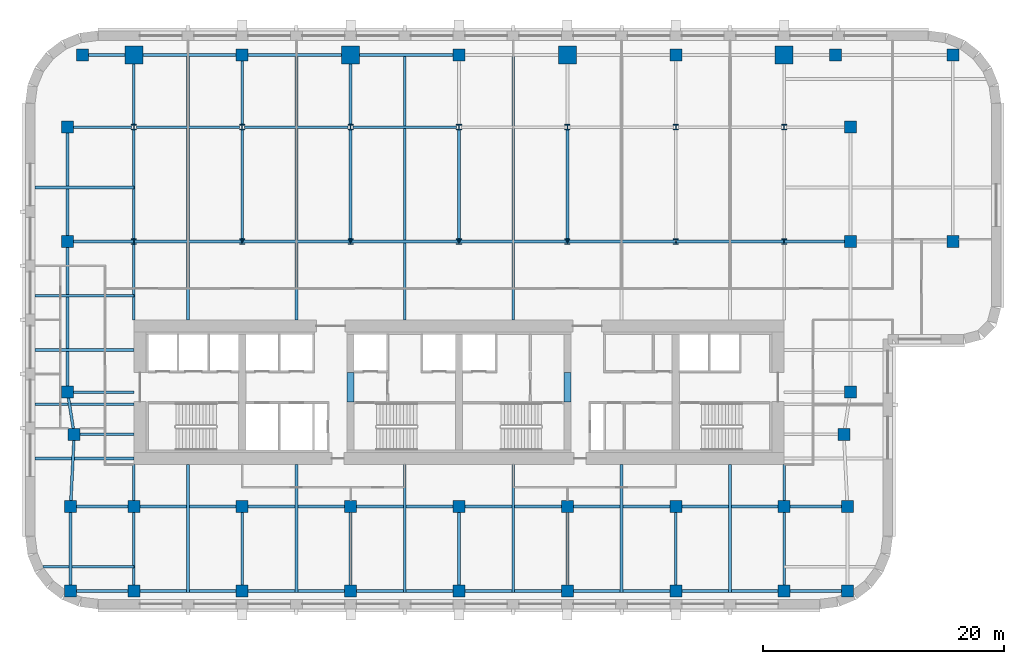
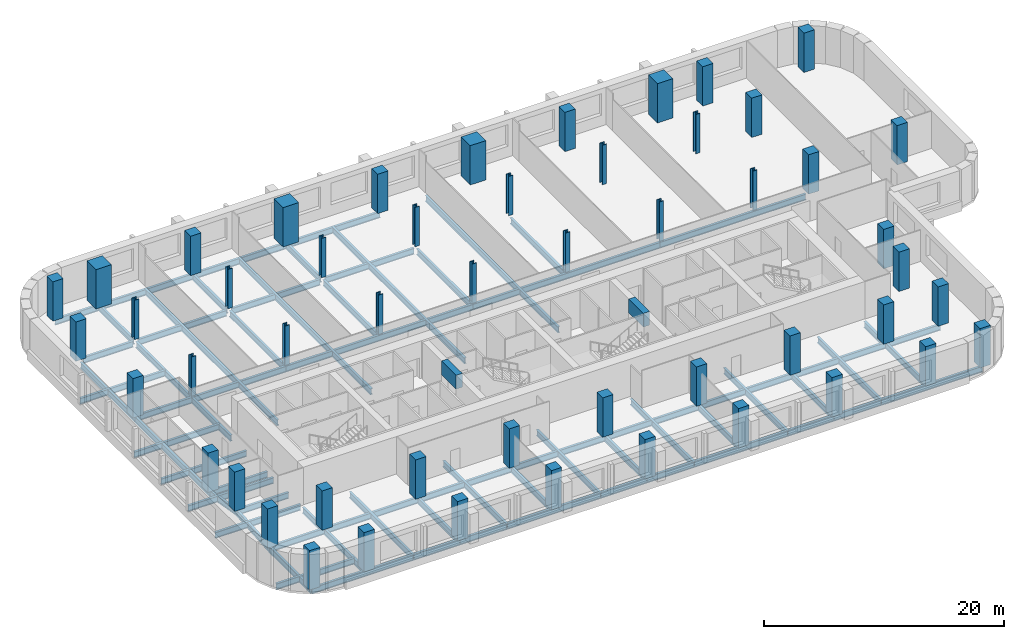
# One storey, part 1 of 9: 58 beams, 51 columns.
"""IFC4 building model written with IfcOpenShell, lengths in metres."""

from ifc_helpers import new_model, si_unit, direction, frame, origin, origin_2d, place, context, subcontext, project, spatial, rectangle, i_section, extrude, material, material_profile, profile_set, type_object, element, save


model = new_model("IFC4")

# Units and contexts
model_context = context("Model", 3, precision=1e-05, world=origin(), true_north=direction((0.0, 1.0)))
body_context = subcontext(model_context, "Body", "Model", "MODEL_VIEW")
ifc_project = project(units=[si_unit("LENGTHUNIT", "METRE"), si_unit("AREAUNIT", "SQUARE_METRE"), si_unit("VOLUMEUNIT", "CUBIC_METRE"), si_unit("PLANEANGLEUNIT", "RADIAN"), si_unit("MASSUNIT", "GRAM", prefix="KILO")], contexts=[model_context])

# Site, building, storey
site_placement = place(None, origin())
site = spatial("IfcSite", under=ifc_project, at=site_placement, CompositionType="ELEMENT")
building_placement = place(site_placement, origin())
building = spatial("IfcBuilding", under=site, at=building_placement, Name="Zellij Exchange Tower", CompositionType="ELEMENT")
storey_placement = place(building_placement, frame((0.0, 0.0, 140.5)))
storey = spatial("IfcBuildingStorey", under=building, at=storey_placement, Name="L31", CompositionType="ELEMENT", Elevation=140.5)

# Columns
ifc_material_1 = material(Name="Concrete C70/85", Category="concrete")
ifc_material_profile_1 = material_profile(ifc_material_1, rectangle(XDim=1.0, YDim=1.0, at=origin_2d()), Name="STR-COLUMN RC1000x1000 C70/85")
ifc_profile_set_1 = profile_set([ifc_material_profile_1], Name="Concrete C70/85")
column_type_1 = type_object("IfcColumnType", Name="STR-COLUMN RC1000x1000 C70/85", PredefinedType="COLUMN", material=ifc_profile_set_1)
for number, where, z_axis, x_axis, name in (
    (1, (-32.25, -24.5, 0.0), (0.0, 0.0, 1.0), (1.0, 0.0, 0.0), "C10"),
    (2, (-27.0, -24.5, 0.0), (0.0, 0.0, 1.0), (1.0, 0.0, 0.0), "C10"),
    (3, (-18.0, -24.5, 0.0), (0.0, 0.0, 1.0), (1.0, 0.0, 0.0), "C10"),
    (4, (-9.0, -24.5, 0.0), (0.0, 0.0, 1.0), (1.0, 0.0, 0.0), "C10"),
    (5, (0.0, -24.5, 0.0), (0.0, 0.0, 1.0), (1.0, 0.0, 0.0), "C10"),
    (6, (9.0, -24.5, 0.0), (0.0, 0.0, 1.0), (1.0, 0.0, 0.0), "C10"),
    (7, (18.0, -24.5, 0.0), (0.0, 0.0, 1.0), (1.0, 0.0, 0.0), "C10"),
    (8, (27.0, -24.5, 0.0), (0.0, 0.0, 1.0), (1.0, 0.0, 0.0), "C10"),
    (9, (32.25, -24.5, 0.0), (0.0, 0.0, 1.0), (1.0, 0.0, 0.0), "C10"),
    (10, (-32.25, -17.5, 0.0), (0.0, 0.0, 1.0), (1.0, 0.0, 0.0), "C10"),
    (11, (-27.0, -17.5, 0.0), (0.0, 0.0, 1.0), (1.0, 0.0, 0.0), "C10"),
    (12, (-18.0, -17.5, 0.0), (0.0, 0.0, 1.0), (1.0, 0.0, 0.0), "C10"),
    (13, (-9.0, -17.5, 0.0), (0.0, 0.0, 1.0), (1.0, 0.0, 0.0), "C10"),
    (14, (0.0, -17.5, 0.0), (0.0, 0.0, 1.0), (1.0, 0.0, 0.0), "C10"),
    (15, (9.0, -17.5, 0.0), (0.0, 0.0, 1.0), (1.0, 0.0, 0.0), "C10"),
    (16, (18.0, -17.5, 0.0), (0.0, 0.0, 1.0), (1.0, 0.0, 0.0), "C10"),
    (17, (27.0, -17.5, 0.0), (0.0, 0.0, 1.0), (1.0, 0.0, 0.0), "C10"),
    (18, (32.25, -17.5, 0.0), (0.0, 0.0, 1.0), (1.0, 0.0, 0.0), "C10"),
    (19, (-31.949951171875, -11.5, 0.0), (0.0, 0.0, 1.0), (1.0, 0.0, 0.0), "C10"),
    (20, (31.949951171875, -11.5, 0.0), (0.0, 0.0, 1.0), (1.0, 0.0, 0.0), "C10"),
    (21, (-32.5, -8.0, 0.0), (0.0, 0.0, 1.0), (1.0, 0.0, 0.0), "C10"),
    (22, (32.5, -8.0, 0.0), (0.0, 0.0, 1.0), (1.0, 0.0, 0.0), "C10"),
    (23, (-32.5, 4.5, 0.0), (0.0, 0.0, 1.0), (1.0, 0.0, 0.0), "C10"),
    (24, (32.5, 4.5, 0.0), (0.0, 0.0, 1.0), (1.0, 0.0, 0.0), "C10"),
    (25, (41.0, 4.5, 0.0), (0.0, 0.0, 1.0), (1.0, 0.0, 0.0), "C10"),
    (26, (-32.5, 14.0, 0.0), (0.0, 0.0, 1.0), (1.0, 0.0, 0.0), "C10"),
    (27, (32.5, 14.0, 0.0), (0.0, 0.0, 1.0), (1.0, 0.0, 0.0), "C10"),
    (28, (-31.25, 20.0, 0.0), (0.0, 0.0, 1.0), (1.0, 0.0, 0.0), "C10"),
    (29, (-18.0, 20.0, 0.0), (0.0, 0.0, 1.0), (1.0, 0.0, 0.0), "C10"),
    (30, (0.0, 20.0, 0.0), (0.0, 0.0, 1.0), (1.0, 0.0, 0.0), "C10"),
    (31, (18.0, 20.0, 0.0), (0.0, 0.0, 1.0), (1.0, 0.0, 0.0), "C10"),
    (32, (31.25, 20.0, 0.0), (0.0, 0.0, 1.0), (1.0, 0.0, 0.0), "C10"),
    (33, (41.0, 20.0, 0.0), (0.0, 0.0, 1.0), (1.0, 0.0, 0.0), "C10"),
):
    element("IfcColumn", number, at=place(storey_placement, frame(where, z_axis=z_axis, x_axis=x_axis)), inside=storey, type_object=column_type_1, Name=name, PredefinedType="COLUMN", context=body_context, shape_type="SweptSolid", body=[
        extrude(rectangle(XDim=1.0, YDim=1.0, at=origin_2d()), origin(), (0.0, 0.0, 1.0), 4.0),
    ])
ifc_material_2 = material(Name="Structural steel ASTM A913 Gr 65", Category="steel")
ifc_material_profile_2 = material_profile(ifc_material_2, i_section(OverallWidth=0.419189453125, OverallDepth=0.45458984375, WebThickness=0.042236328125, FlangeThickness=0.067626953125, at=origin_2d()), Name="W14x370")
ifc_profile_set_2 = profile_set([ifc_material_profile_2], Name="Structural steel ASTM A913 Gr 65")
column_type_2 = type_object("IfcColumnType", Name="STR-COLUMN W14x370", PredefinedType="COLUMN", material=ifc_profile_set_2)
for number, where, z_axis, x_axis, name in (
    (34, (-27.0, 4.5, 0.0), (0.0, 0.0, 1.0), (1.0, 0.0, 0.0), "C4"),
    (35, (-18.0, 4.5, 0.0), (0.0, 0.0, 1.0), (1.0, 0.0, 0.0), "C4"),
    (36, (-9.0, 4.5, 0.0), (0.0, 0.0, 1.0), (1.0, 0.0, 0.0), "C4"),
    (37, (0.0, 4.5, 0.0), (0.0, 0.0, 1.0), (1.0, 0.0, 0.0), "C4"),
    (38, (9.0, 4.5, 0.0), (0.0, 0.0, 1.0), (1.0, 0.0, 0.0), "C4"),
    (39, (18.0, 4.5, 0.0), (0.0, 0.0, 1.0), (1.0, 0.0, 0.0), "C4"),
    (40, (27.0, 4.5, 0.0), (0.0, 0.0, 1.0), (1.0, 0.0, 0.0), "C4"),
    (41, (-27.0, 14.0, 0.0), (0.0, 0.0, 1.0), (1.0, 0.0, 0.0), "C4"),
    (42, (-18.0, 14.0, 0.0), (0.0, 0.0, 1.0), (1.0, 0.0, 0.0), "C4"),
    (43, (-9.0, 14.0, 0.0), (0.0, 0.0, 1.0), (1.0, 0.0, 0.0), "C4"),
    (44, (0.0, 14.0, 0.0), (0.0, 0.0, 1.0), (1.0, 0.0, 0.0), "C4"),
    (45, (9.0, 14.0, 0.0), (0.0, 0.0, 1.0), (1.0, 0.0, 0.0), "C4"),
    (46, (18.0, 14.0, 0.0), (0.0, 0.0, 1.0), (1.0, 0.0, 0.0), "C4"),
    (47, (27.0, 14.0, 0.0), (0.0, 0.0, 1.0), (1.0, 0.0, 0.0), "C4"),
):
    element("IfcColumn", number, at=place(storey_placement, frame(where, z_axis=z_axis, x_axis=x_axis)), inside=storey, type_object=column_type_2, Name=name, PredefinedType="COLUMN", context=body_context, shape_type="SweptSolid", body=[
        extrude(i_section(OverallWidth=0.419189453125, OverallDepth=0.45458984375, WebThickness=0.042236328125, FlangeThickness=0.067626953125, at=origin_2d()), origin(), (0.0, 0.0, 1.0), 4.0),
    ])
ifc_material_profile_3 = material_profile(ifc_material_1, rectangle(XDim=1.5, YDim=1.5, at=origin_2d()), Name="STR-MEGA COLUMN RC1500x1500 C70/85")
ifc_profile_set_3 = profile_set([ifc_material_profile_3], Name="Concrete C70/85")
column_type_3 = type_object("IfcColumnType", Name="STR-MEGA COLUMN RC1500x1500 C70/85", PredefinedType="COLUMN", material=ifc_profile_set_3)
for number, where, z_axis, x_axis, name in (
    (48, (-27.0, 20.0, 0.0), (0.0, 0.0, 1.0), (1.0, 0.0, 0.0), "MC5"),
    (49, (-9.0, 20.0, 0.0), (0.0, 0.0, 1.0), (1.0, 0.0, 0.0), "MC5"),
    (50, (9.0, 20.0, 0.0), (0.0, 0.0, 1.0), (1.0, 0.0, 0.0), "MC5"),
    (51, (27.0, 20.0, 0.0), (0.0, 0.0, 1.0), (1.0, 0.0, 0.0), "MC5"),
):
    element("IfcColumn", number, at=place(storey_placement, frame(where, z_axis=z_axis, x_axis=x_axis)), inside=storey, type_object=column_type_3, Name=name, PredefinedType="COLUMN", context=body_context, shape_type="SweptSolid", body=[
        extrude(rectangle(XDim=1.5, YDim=1.5, at=origin_2d()), origin(), (0.0, 0.0, 1.0), 4.0),
    ])

# Beams
ifc_material_profile_4 = material_profile(ifc_material_1, rectangle(XDim=0.60009765625, YDim=1.39990234375, at=origin_2d()), Name="CORE-CB 600x1400 C70/85")
ifc_profile_set_4 = profile_set([ifc_material_profile_4], Name="Concrete C70/85")
beam_type_1 = type_object("IfcBeamType", Name="CORE-CB 600x1400 C70/85", PredefinedType="BEAM", material=ifc_profile_set_4)
for number, where, z_axis, x_axis, name in (
    (52, (-9.0, -8.800048828125, 3.10009765625), (0.0, 1.0, 0.0), (-1.0, 0.0, 0.0), "Core coupling beam x -9 L31"),
    (53, (9.0, -8.800048828125, 3.10009765625), (0.0, 1.0, 0.0), (-1.0, 0.0, 0.0), "Core coupling beam x 9 L31"),
):
    element("IfcBeam", number, at=place(storey_placement, frame(where, z_axis=z_axis, x_axis=x_axis)), inside=storey, type_object=beam_type_1, Name=name, PredefinedType="BEAM", context=body_context, shape_type="SweptSolid", body=[
        extrude(rectangle(XDim=0.60009765625, YDim=1.39990234375, at=origin_2d()), origin(), (0.0, 0.0, 1.0), 2.425048828125),
    ])
ifc_material_3 = material(Name="Structural steel ASTM A992 Gr 50", Category="steel")
ifc_material_profile_5 = material_profile(ifc_material_3, i_section(OverallWidth=0.227783203125, OverallDepth=0.60205078125, WebThickness=0.010498046875, FlangeThickness=0.014892578125, at=origin_2d()), Name="W24x68")
ifc_profile_set_5 = profile_set([ifc_material_profile_5], Name="Structural steel ASTM A992 Gr 50")
beam_type_2 = type_object("IfcBeamType", Name="STR-BEAM W24x68", PredefinedType="BEAM", material=ifc_profile_set_5)
beam_1_placement = place(storey_placement, frame((-22.5, -24.614501953125, -0.5009765625), z_axis=(0.0, 1.0, 0.0), x_axis=(-1.0, 0.0, 0.0)))
element("IfcBeam", 54, at=beam_1_placement, inside=storey, type_object=beam_type_2, Name="B5", PredefinedType="BEAM", context=body_context, shape_type="SweptSolid", body=[
    extrude(i_section(OverallWidth=0.227783203125, OverallDepth=0.60205078125, WebThickness=0.010498046875, FlangeThickness=0.014892578125, at=origin_2d()), origin(), (0.0, 0.0, 1.0), 10.614501953125),
])
beam_2_placement = place(storey_placement, frame((-22.5, -2.0, -0.5009765625), z_axis=(0.0, 1.0, 0.0), x_axis=(-1.0, 0.0, 0.0)))
element("IfcBeam", 55, at=beam_2_placement, inside=storey, type_object=beam_type_2, Name="B5", PredefinedType="BEAM", context=body_context, shape_type="SweptSolid", body=[
    extrude(i_section(OverallWidth=0.227783203125, OverallDepth=0.60205078125, WebThickness=0.010498046875, FlangeThickness=0.014892578125, at=origin_2d()), origin(), (0.0, 0.0, 1.0), 22.114501953125),
])
beam_3_placement = place(storey_placement, frame((-13.5, -24.614501953125, -0.5009765625), z_axis=(0.0, 1.0, 0.0), x_axis=(-1.0, 0.0, 0.0)))
element("IfcBeam", 56, at=beam_3_placement, inside=storey, type_object=beam_type_2, Name="B5", PredefinedType="BEAM", context=body_context, shape_type="SweptSolid", body=[
    extrude(i_section(OverallWidth=0.227783203125, OverallDepth=0.60205078125, WebThickness=0.010498046875, FlangeThickness=0.014892578125, at=origin_2d()), origin(), (0.0, 0.0, 1.0), 10.614501953125),
])
beam_4_placement = place(storey_placement, frame((-13.5, -2.0, -0.5009765625), z_axis=(0.0, 1.0, 0.0), x_axis=(-1.0, 0.0, 0.0)))
element("IfcBeam", 57, at=beam_4_placement, inside=storey, type_object=beam_type_2, Name="B5", PredefinedType="BEAM", context=body_context, shape_type="SweptSolid", body=[
    extrude(i_section(OverallWidth=0.227783203125, OverallDepth=0.60205078125, WebThickness=0.010498046875, FlangeThickness=0.014892578125, at=origin_2d()), origin(), (0.0, 0.0, 1.0), 22.114501953125),
])
beam_5_placement = place(storey_placement, frame((-4.5, -24.614501953125, -0.5009765625), z_axis=(0.0, 1.0, 0.0), x_axis=(-1.0, 0.0, 0.0)))
element("IfcBeam", 58, at=beam_5_placement, inside=storey, type_object=beam_type_2, Name="B5", PredefinedType="BEAM", context=body_context, shape_type="SweptSolid", body=[
    extrude(i_section(OverallWidth=0.227783203125, OverallDepth=0.60205078125, WebThickness=0.010498046875, FlangeThickness=0.014892578125, at=origin_2d()), origin(), (0.0, 0.0, 1.0), 10.614501953125),
])
beam_6_placement = place(storey_placement, frame((-4.5, -2.0, -0.5009765625), z_axis=(0.0, 1.0, 0.0), x_axis=(-1.0, 0.0, 0.0)))
element("IfcBeam", 59, at=beam_6_placement, inside=storey, type_object=beam_type_2, Name="B5", PredefinedType="BEAM", context=body_context, shape_type="SweptSolid", body=[
    extrude(i_section(OverallWidth=0.227783203125, OverallDepth=0.60205078125, WebThickness=0.010498046875, FlangeThickness=0.014892578125, at=origin_2d()), origin(), (0.0, 0.0, 1.0), 22.114501953125),
])
beam_7_placement = place(storey_placement, frame((4.5, -24.614501953125, -0.5009765625), z_axis=(0.0, 1.0, 0.0), x_axis=(-1.0, 0.0, 0.0)))
element("IfcBeam", 60, at=beam_7_placement, inside=storey, type_object=beam_type_2, Name="B5", PredefinedType="BEAM", context=body_context, shape_type="SweptSolid", body=[
    extrude(i_section(OverallWidth=0.227783203125, OverallDepth=0.60205078125, WebThickness=0.010498046875, FlangeThickness=0.014892578125, at=origin_2d()), origin(), (0.0, 0.0, 1.0), 10.614501953125),
])
beam_8_placement = place(storey_placement, frame((4.5, -2.0, -0.5009765625), z_axis=(0.0, 1.0, 0.0), x_axis=(-1.0, 0.0, 0.0)))
element("IfcBeam", 61, at=beam_8_placement, inside=storey, type_object=beam_type_2, Name="B5", PredefinedType="BEAM", context=body_context, shape_type="SweptSolid", body=[
    extrude(i_section(OverallWidth=0.227783203125, OverallDepth=0.60205078125, WebThickness=0.010498046875, FlangeThickness=0.014892578125, at=origin_2d()), origin(), (0.0, 0.0, 1.0), 22.114501953125),
])
for number, where, z_axis, x_axis, name in (
    (62, (13.5, -24.614501953125, -0.5009765625), (0.0, 1.0, 0.0), (-1.0, 0.0, 0.0), "B5"),
    (63, (22.5, -24.614501953125, -0.5009765625), (0.0, 1.0, 0.0), (-1.0, 0.0, 0.0), "B5"),
):
    element("IfcBeam", number, at=place(storey_placement, frame(where, z_axis=z_axis, x_axis=x_axis)), inside=storey, type_object=beam_type_2, Name=name, PredefinedType="BEAM", context=body_context, shape_type="SweptSolid", body=[
        extrude(i_section(OverallWidth=0.227783203125, OverallDepth=0.60205078125, WebThickness=0.010498046875, FlangeThickness=0.014892578125, at=origin_2d()), origin(), (0.0, 0.0, 1.0), 10.614501953125),
    ])
beam_9_placement = place(storey_placement, frame((-34.537109375, -22.5, -0.5009765625), z_axis=(1.0, 0.0, 0.0), x_axis=(0.0, 1.0, 0.0)))
element("IfcBeam", 64, at=beam_9_placement, inside=storey, type_object=beam_type_2, Name="B5", PredefinedType="BEAM", context=body_context, shape_type="SweptSolid", body=[
    extrude(i_section(OverallWidth=0.227783203125, OverallDepth=0.60205078125, WebThickness=0.010498046875, FlangeThickness=0.014892578125, at=origin_2d()), origin(), (0.0, 0.0, 1.0), 7.537109375),
])
for number, where, z_axis, x_axis, name in (
    (65, (-35.199951171875, -13.5, -0.5009765625), (1.0, 0.0, 0.0), (0.0, 1.0, 0.0), "B5"),
    (66, (-35.199951171875, -9.0, -0.5009765625), (1.0, 0.0, 0.0), (0.0, 1.0, 0.0), "B5"),
    (67, (-35.199951171875, -4.5, -0.5009765625), (1.0, 0.0, 0.0), (0.0, 1.0, 0.0), "B5"),
    (68, (-35.199951171875, 0.0, -0.5009765625), (1.0, 0.0, 0.0), (0.0, 1.0, 0.0), "B5"),
    (69, (-35.199951171875, 9.0, -0.5009765625), (1.0, 0.0, 0.0), (0.0, 1.0, 0.0), "B5"),
):
    element("IfcBeam", number, at=place(storey_placement, frame(where, z_axis=z_axis, x_axis=x_axis)), inside=storey, type_object=beam_type_2, Name=name, PredefinedType="BEAM", context=body_context, shape_type="SweptSolid", body=[
        extrude(i_section(OverallWidth=0.227783203125, OverallDepth=0.60205078125, WebThickness=0.010498046875, FlangeThickness=0.014892578125, at=origin_2d()), origin(), (0.0, 0.0, 1.0), 8.199951171875),
    ])
ifc_material_profile_6 = material_profile(ifc_material_3, i_section(OverallWidth=0.22900390625, OverallDepth=0.612060546875, WebThickness=0.011962890625, FlangeThickness=0.01953125, at=origin_2d()), Name="W24x84")
ifc_profile_set_6 = profile_set([ifc_material_profile_6], Name="Structural steel ASTM A992 Gr 50")
beam_type_3 = type_object("IfcBeamType", Name="STR-EDGE GIRDER W24x84", PredefinedType="BEAM", material=ifc_profile_set_6)
beam_10_placement = place(storey_placement, frame((-32.25, -24.5, -0.506103515625), z_axis=(0.0, 1.0, 0.0), x_axis=(-1.0, 0.0, 0.0)))
element("IfcBeam", 70, at=beam_10_placement, inside=storey, type_object=beam_type_3, Name="EB6", PredefinedType="BEAM", context=body_context, shape_type="SweptSolid", body=[
    extrude(i_section(OverallWidth=0.22900390625, OverallDepth=0.612060546875, WebThickness=0.011962890625, FlangeThickness=0.01953125, at=origin_2d()), origin(), (0.0, 0.0, 1.0), 7.0),
])
beam_11_placement = place(storey_placement, frame((-32.25, -17.5, -0.506103515625), z_axis=(0.049945724537, 0.998751933465, 0.0), x_axis=(-0.998751933465, 0.049945724537, 0.0)))
element("IfcBeam", 71, at=beam_11_placement, inside=storey, type_object=beam_type_3, Name="EB6", PredefinedType="BEAM", context=body_context, shape_type="SweptSolid", body=[
    extrude(i_section(OverallWidth=0.22900390625, OverallDepth=0.612060546875, WebThickness=0.011962890625, FlangeThickness=0.01953125, at=origin_2d()), origin(), (0.0, 0.0, 1.0), 6.007568359375),
])
beam_12_placement = place(storey_placement, frame((-31.949951171875, -11.5, -0.506103515625), z_axis=(-0.155251283593, 0.987875011802, 0.0), x_axis=(-0.987875011802, -0.155251283593, 0.0)))
element("IfcBeam", 72, at=beam_12_placement, inside=storey, type_object=beam_type_3, Name="EB6", PredefinedType="BEAM", context=body_context, shape_type="SweptSolid", body=[
    extrude(i_section(OverallWidth=0.22900390625, OverallDepth=0.612060546875, WebThickness=0.011962890625, FlangeThickness=0.01953125, at=origin_2d()), origin(), (0.0, 0.0, 1.0), 3.54296875),
])
beam_13_placement = place(storey_placement, frame((-32.5, -8.0, -0.506103515625), z_axis=(0.0, 1.0, 0.0), x_axis=(-1.0, 0.0, 0.0)))
element("IfcBeam", 73, at=beam_13_placement, inside=storey, type_object=beam_type_3, Name="EB6", PredefinedType="BEAM", context=body_context, shape_type="SweptSolid", body=[
    extrude(i_section(OverallWidth=0.22900390625, OverallDepth=0.612060546875, WebThickness=0.011962890625, FlangeThickness=0.01953125, at=origin_2d()), origin(), (0.0, 0.0, 1.0), 12.5),
])
beam_14_placement = place(storey_placement, frame((-32.5, 4.5, -0.506103515625), z_axis=(0.0, 1.0, 0.0), x_axis=(-1.0, 0.0, 0.0)))
element("IfcBeam", 74, at=beam_14_placement, inside=storey, type_object=beam_type_3, Name="EB6", PredefinedType="BEAM", context=body_context, shape_type="SweptSolid", body=[
    extrude(i_section(OverallWidth=0.22900390625, OverallDepth=0.612060546875, WebThickness=0.011962890625, FlangeThickness=0.01953125, at=origin_2d()), origin(), (0.0, 0.0, 1.0), 9.0),
])
ifc_material_profile_7 = material_profile(ifc_material_3, i_section(OverallWidth=0.22900390625, OverallDepth=0.612060546875, WebThickness=0.011962890625, FlangeThickness=0.01953125, at=origin_2d()), Name="W24x84")
ifc_profile_set_7 = profile_set([ifc_material_profile_7], Name="Structural steel ASTM A992 Gr 50")
beam_type_4 = type_object("IfcBeamType", Name="STR-GIRDER W24x84", PredefinedType="BEAM", material=ifc_profile_set_7)
beam_15_placement = place(storey_placement, frame((-32.25, -24.5, -0.506103515625), z_axis=(1.0, 0.0, 0.0), x_axis=(0.0, 1.0, 0.0)))
element("IfcBeam", 75, at=beam_15_placement, inside=storey, type_object=beam_type_4, Name="G4", PredefinedType="BEAM", context=body_context, shape_type="SweptSolid", body=[
    extrude(i_section(OverallWidth=0.22900390625, OverallDepth=0.612060546875, WebThickness=0.011962890625, FlangeThickness=0.01953125, at=origin_2d()), origin(), (0.0, 0.0, 1.0), 14.25),
])
for number, where, z_axis, x_axis, name in (
    (76, (-18.0, -24.5, -0.506103515625), (1.0, 0.0, 0.0), (0.0, 1.0, 0.0), "G4"),
    (77, (0.0, -24.5, -0.506103515625), (1.0, 0.0, 0.0), (0.0, 1.0, 0.0), "G4"),
):
    element("IfcBeam", number, at=place(storey_placement, frame(where, z_axis=z_axis, x_axis=x_axis)), inside=storey, type_object=beam_type_4, Name=name, PredefinedType="BEAM", context=body_context, shape_type="SweptSolid", body=[
        extrude(i_section(OverallWidth=0.22900390625, OverallDepth=0.612060546875, WebThickness=0.011962890625, FlangeThickness=0.01953125, at=origin_2d()), origin(), (0.0, 0.0, 1.0), 18.0),
    ])
for number, where, z_axis, x_axis, name in (
    (78, (18.0, -24.5, -0.506103515625), (1.0, 0.0, 0.0), (0.0, 1.0, 0.0), "G4"),
    (79, (-32.25, -17.5, -0.506103515625), (1.0, 0.0, 0.0), (0.0, 1.0, 0.0), "G4"),
):
    element("IfcBeam", number, at=place(storey_placement, frame(where, z_axis=z_axis, x_axis=x_axis)), inside=storey, type_object=beam_type_4, Name=name, PredefinedType="BEAM", context=body_context, shape_type="SweptSolid", body=[
        extrude(i_section(OverallWidth=0.22900390625, OverallDepth=0.612060546875, WebThickness=0.011962890625, FlangeThickness=0.01953125, at=origin_2d()), origin(), (0.0, 0.0, 1.0), 14.25),
    ])
for number, where, z_axis, x_axis, name in (
    (80, (-18.0, -17.5, -0.506103515625), (1.0, 0.0, 0.0), (0.0, 1.0, 0.0), "G4"),
    (81, (0.0, -17.5, -0.506103515625), (1.0, 0.0, 0.0), (0.0, 1.0, 0.0), "G4"),
):
    element("IfcBeam", number, at=place(storey_placement, frame(where, z_axis=z_axis, x_axis=x_axis)), inside=storey, type_object=beam_type_4, Name=name, PredefinedType="BEAM", context=body_context, shape_type="SweptSolid", body=[
        extrude(i_section(OverallWidth=0.22900390625, OverallDepth=0.612060546875, WebThickness=0.011962890625, FlangeThickness=0.01953125, at=origin_2d()), origin(), (0.0, 0.0, 1.0), 18.0),
    ])
beam_16_placement = place(storey_placement, frame((18.0, -17.5, -0.506103515625), z_axis=(1.0, 0.0, 0.0), x_axis=(0.0, 1.0, 0.0)))
element("IfcBeam", 82, at=beam_16_placement, inside=storey, type_object=beam_type_4, Name="G4", PredefinedType="BEAM", context=body_context, shape_type="SweptSolid", body=[
    extrude(i_section(OverallWidth=0.22900390625, OverallDepth=0.612060546875, WebThickness=0.011962890625, FlangeThickness=0.01953125, at=origin_2d()), origin(), (0.0, 0.0, 1.0), 14.25),
])
beam_17_placement = place(storey_placement, frame((-31.949951171875, -11.5, -0.506103515625), z_axis=(1.0, 0.0, 0.0), x_axis=(0.0, 1.0, 0.0)))
element("IfcBeam", 83, at=beam_17_placement, inside=storey, type_object=beam_type_4, Name="G4", PredefinedType="BEAM", context=body_context, shape_type="SweptSolid", body=[
    extrude(i_section(OverallWidth=0.22900390625, OverallDepth=0.612060546875, WebThickness=0.011962890625, FlangeThickness=0.01953125, at=origin_2d()), origin(), (0.0, 0.0, 1.0), 4.949951171875),
])
beam_18_placement = place(storey_placement, frame((-32.5, -8.0, -0.506103515625), z_axis=(1.0, 0.0, 0.0), x_axis=(0.0, 1.0, 0.0)))
element("IfcBeam", 84, at=beam_18_placement, inside=storey, type_object=beam_type_4, Name="G4", PredefinedType="BEAM", context=body_context, shape_type="SweptSolid", body=[
    extrude(i_section(OverallWidth=0.22900390625, OverallDepth=0.612060546875, WebThickness=0.011962890625, FlangeThickness=0.01953125, at=origin_2d()), origin(), (0.0, 0.0, 1.0), 5.5),
])
beam_19_placement = place(storey_placement, frame((-32.5, 4.5, -0.506103515625), z_axis=(1.0, 0.0, 0.0), x_axis=(0.0, 1.0, 0.0)))
element("IfcBeam", 85, at=beam_19_placement, inside=storey, type_object=beam_type_4, Name="G4", PredefinedType="BEAM", context=body_context, shape_type="SweptSolid", body=[
    extrude(i_section(OverallWidth=0.22900390625, OverallDepth=0.612060546875, WebThickness=0.011962890625, FlangeThickness=0.01953125, at=origin_2d()), origin(), (0.0, 0.0, 1.0), 14.5),
])
for number, where, z_axis, x_axis, name in (
    (86, (-18.0, 4.5, -0.506103515625), (1.0, 0.0, 0.0), (0.0, 1.0, 0.0), "G4"),
    (87, (0.0, 4.5, -0.506103515625), (1.0, 0.0, 0.0), (0.0, 1.0, 0.0), "G4"),
):
    element("IfcBeam", number, at=place(storey_placement, frame(where, z_axis=z_axis, x_axis=x_axis)), inside=storey, type_object=beam_type_4, Name=name, PredefinedType="BEAM", context=body_context, shape_type="SweptSolid", body=[
        extrude(i_section(OverallWidth=0.22900390625, OverallDepth=0.612060546875, WebThickness=0.011962890625, FlangeThickness=0.01953125, at=origin_2d()), origin(), (0.0, 0.0, 1.0), 18.0),
    ])
beam_20_placement = place(storey_placement, frame((18.0, 4.5, -0.506103515625), z_axis=(1.0, 0.0, 0.0), x_axis=(0.0, 1.0, 0.0)))
element("IfcBeam", 88, at=beam_20_placement, inside=storey, type_object=beam_type_4, Name="G4", PredefinedType="BEAM", context=body_context, shape_type="SweptSolid", body=[
    extrude(i_section(OverallWidth=0.22900390625, OverallDepth=0.612060546875, WebThickness=0.011962890625, FlangeThickness=0.01953125, at=origin_2d()), origin(), (0.0, 0.0, 1.0), 14.0),
])
beam_21_placement = place(storey_placement, frame((-32.0, 14.0, -0.506103515625), z_axis=(1.0, 0.0, 0.0), x_axis=(0.0, 1.0, 0.0)))
element("IfcBeam", 89, at=beam_21_placement, inside=storey, type_object=beam_type_4, Name="G4", PredefinedType="BEAM", context=body_context, shape_type="SweptSolid", body=[
    extrude(i_section(OverallWidth=0.22900390625, OverallDepth=0.612060546875, WebThickness=0.011962890625, FlangeThickness=0.01953125, at=origin_2d()), origin(), (0.0, 0.0, 1.0), 4.790283203125),
])
for number, where, z_axis, x_axis, name in (
    (90, (-26.790283203125, 14.0, -0.506103515625), (1.0, 0.0, 0.0), (0.0, 1.0, 0.0), "G4"),
    (91, (-17.790283203125, 14.0, -0.506103515625), (1.0, 0.0, 0.0), (0.0, 1.0, 0.0), "G4"),
):
    element("IfcBeam", number, at=place(storey_placement, frame(where, z_axis=z_axis, x_axis=x_axis)), inside=storey, type_object=beam_type_4, Name=name, PredefinedType="BEAM", context=body_context, shape_type="SweptSolid", body=[
        extrude(i_section(OverallWidth=0.22900390625, OverallDepth=0.612060546875, WebThickness=0.011962890625, FlangeThickness=0.01953125, at=origin_2d()), origin(), (0.0, 0.0, 1.0), 8.58056640625),
    ])
beam_22_placement = place(storey_placement, frame((-8.790283203125, 14.0, -0.506103515625), z_axis=(1.0, 0.0, 0.0), x_axis=(0.0, 1.0, 0.0)))
element("IfcBeam", 92, at=beam_22_placement, inside=storey, type_object=beam_type_4, Name="G4", PredefinedType="BEAM", context=body_context, shape_type="SweptSolid", body=[
    extrude(i_section(OverallWidth=0.22900390625, OverallDepth=0.612060546875, WebThickness=0.011962890625, FlangeThickness=0.01953125, at=origin_2d()), origin(), (0.0, 0.0, 1.0), 8.580810546875),
])
beam_23_placement = place(storey_placement, frame((-31.25, 20.0, -0.506103515625), z_axis=(1.0, 0.0, 0.0), x_axis=(0.0, 1.0, 0.0)))
element("IfcBeam", 93, at=beam_23_placement, inside=storey, type_object=beam_type_4, Name="G4", PredefinedType="BEAM", context=body_context, shape_type="SweptSolid", body=[
    extrude(i_section(OverallWidth=0.22900390625, OverallDepth=0.612060546875, WebThickness=0.011962890625, FlangeThickness=0.01953125, at=origin_2d()), origin(), (0.0, 0.0, 1.0), 13.25),
])
beam_24_placement = place(storey_placement, frame((-18.0, 20.0, -0.506103515625), z_axis=(1.0, 0.0, 0.0), x_axis=(0.0, 1.0, 0.0)))
element("IfcBeam", 94, at=beam_24_placement, inside=storey, type_object=beam_type_4, Name="G4", PredefinedType="BEAM", context=body_context, shape_type="SweptSolid", body=[
    extrude(i_section(OverallWidth=0.22900390625, OverallDepth=0.612060546875, WebThickness=0.011962890625, FlangeThickness=0.01953125, at=origin_2d()), origin(), (0.0, 0.0, 1.0), 18.0),
])
beam_25_placement = place(storey_placement, frame((-27.0, -24.5, -0.506103515625), z_axis=(0.0, 1.0, 0.0), x_axis=(-1.0, 0.0, 0.0)))
element("IfcBeam", 95, at=beam_25_placement, inside=storey, type_object=beam_type_4, Name="G4", PredefinedType="BEAM", context=body_context, shape_type="SweptSolid", body=[
    extrude(i_section(OverallWidth=0.22900390625, OverallDepth=0.612060546875, WebThickness=0.011962890625, FlangeThickness=0.01953125, at=origin_2d()), origin(), (0.0, 0.0, 1.0), 10.5),
])
beam_26_placement = place(storey_placement, frame((-27.0, -2.0, -0.506103515625), z_axis=(0.0, 1.0, 0.0), x_axis=(-1.0, 0.0, 0.0)))
element("IfcBeam", 96, at=beam_26_placement, inside=storey, type_object=beam_type_4, Name="G4", PredefinedType="BEAM", context=body_context, shape_type="SweptSolid", body=[
    extrude(i_section(OverallWidth=0.22900390625, OverallDepth=0.612060546875, WebThickness=0.011962890625, FlangeThickness=0.01953125, at=origin_2d()), origin(), (0.0, 0.0, 1.0), 15.772705078125),
])
beam_27_placement = place(storey_placement, frame((-27.0, 14.227294921875, -0.506103515625), z_axis=(0.0, 1.0, 0.0), x_axis=(-1.0, 0.0, 0.0)))
element("IfcBeam", 97, at=beam_27_placement, inside=storey, type_object=beam_type_4, Name="G4", PredefinedType="BEAM", context=body_context, shape_type="SweptSolid", body=[
    extrude(i_section(OverallWidth=0.22900390625, OverallDepth=0.612060546875, WebThickness=0.011962890625, FlangeThickness=0.01953125, at=origin_2d()), origin(), (0.0, 0.0, 1.0), 5.772705078125),
])
beam_28_placement = place(storey_placement, frame((-18.0, -24.5, -0.506103515625), z_axis=(0.0, 1.0, 0.0), x_axis=(-1.0, 0.0, 0.0)))
element("IfcBeam", 98, at=beam_28_placement, inside=storey, type_object=beam_type_4, Name="G4", PredefinedType="BEAM", context=body_context, shape_type="SweptSolid", body=[
    extrude(i_section(OverallWidth=0.22900390625, OverallDepth=0.612060546875, WebThickness=0.011962890625, FlangeThickness=0.01953125, at=origin_2d()), origin(), (0.0, 0.0, 1.0), 7.0),
])
beam_29_placement = place(storey_placement, frame((-18.0, 4.5, -0.506103515625), z_axis=(0.0, 1.0, 0.0), x_axis=(-1.0, 0.0, 0.0)))
element("IfcBeam", 99, at=beam_29_placement, inside=storey, type_object=beam_type_4, Name="G4", PredefinedType="BEAM", context=body_context, shape_type="SweptSolid", body=[
    extrude(i_section(OverallWidth=0.22900390625, OverallDepth=0.612060546875, WebThickness=0.011962890625, FlangeThickness=0.01953125, at=origin_2d()), origin(), (0.0, 0.0, 1.0), 9.272705078125),
])
beam_30_placement = place(storey_placement, frame((-18.0, 14.227294921875, -0.506103515625), z_axis=(0.0, 1.0, 0.0), x_axis=(-1.0, 0.0, 0.0)))
element("IfcBeam", 100, at=beam_30_placement, inside=storey, type_object=beam_type_4, Name="G4", PredefinedType="BEAM", context=body_context, shape_type="SweptSolid", body=[
    extrude(i_section(OverallWidth=0.22900390625, OverallDepth=0.612060546875, WebThickness=0.011962890625, FlangeThickness=0.01953125, at=origin_2d()), origin(), (0.0, 0.0, 1.0), 5.772705078125),
])
beam_31_placement = place(storey_placement, frame((-9.0, -24.5, -0.506103515625), z_axis=(0.0, 1.0, 0.0), x_axis=(-1.0, 0.0, 0.0)))
element("IfcBeam", 101, at=beam_31_placement, inside=storey, type_object=beam_type_4, Name="G4", PredefinedType="BEAM", context=body_context, shape_type="SweptSolid", body=[
    extrude(i_section(OverallWidth=0.22900390625, OverallDepth=0.612060546875, WebThickness=0.011962890625, FlangeThickness=0.01953125, at=origin_2d()), origin(), (0.0, 0.0, 1.0), 7.0),
])
beam_32_placement = place(storey_placement, frame((-9.0, 4.5, -0.506103515625), z_axis=(0.0, 1.0, 0.0), x_axis=(-1.0, 0.0, 0.0)))
element("IfcBeam", 102, at=beam_32_placement, inside=storey, type_object=beam_type_4, Name="G4", PredefinedType="BEAM", context=body_context, shape_type="SweptSolid", body=[
    extrude(i_section(OverallWidth=0.22900390625, OverallDepth=0.612060546875, WebThickness=0.011962890625, FlangeThickness=0.01953125, at=origin_2d()), origin(), (0.0, 0.0, 1.0), 9.272705078125),
])
beam_33_placement = place(storey_placement, frame((-9.0, 14.227294921875, -0.506103515625), z_axis=(0.0, 1.0, 0.0), x_axis=(-1.0, 0.0, 0.0)))
element("IfcBeam", 103, at=beam_33_placement, inside=storey, type_object=beam_type_4, Name="G4", PredefinedType="BEAM", context=body_context, shape_type="SweptSolid", body=[
    extrude(i_section(OverallWidth=0.22900390625, OverallDepth=0.612060546875, WebThickness=0.011962890625, FlangeThickness=0.01953125, at=origin_2d()), origin(), (0.0, 0.0, 1.0), 5.772705078125),
])
beam_34_placement = place(storey_placement, frame((0.0, -24.5, -0.506103515625), z_axis=(0.0, 1.0, 0.0), x_axis=(-1.0, 0.0, 0.0)))
element("IfcBeam", 104, at=beam_34_placement, inside=storey, type_object=beam_type_4, Name="G4", PredefinedType="BEAM", context=body_context, shape_type="SweptSolid", body=[
    extrude(i_section(OverallWidth=0.22900390625, OverallDepth=0.612060546875, WebThickness=0.011962890625, FlangeThickness=0.01953125, at=origin_2d()), origin(), (0.0, 0.0, 1.0), 7.0),
])
beam_35_placement = place(storey_placement, frame((0.0, 4.5, -0.506103515625), z_axis=(0.0, 1.0, 0.0), x_axis=(-1.0, 0.0, 0.0)))
element("IfcBeam", 105, at=beam_35_placement, inside=storey, type_object=beam_type_4, Name="G4", PredefinedType="BEAM", context=body_context, shape_type="SweptSolid", body=[
    extrude(i_section(OverallWidth=0.22900390625, OverallDepth=0.612060546875, WebThickness=0.011962890625, FlangeThickness=0.01953125, at=origin_2d()), origin(), (0.0, 0.0, 1.0), 9.272705078125),
])
beam_36_placement = place(storey_placement, frame((9.0, -24.5, -0.506103515625), z_axis=(0.0, 1.0, 0.0), x_axis=(-1.0, 0.0, 0.0)))
element("IfcBeam", 106, at=beam_36_placement, inside=storey, type_object=beam_type_4, Name="G4", PredefinedType="BEAM", context=body_context, shape_type="SweptSolid", body=[
    extrude(i_section(OverallWidth=0.22900390625, OverallDepth=0.612060546875, WebThickness=0.011962890625, FlangeThickness=0.01953125, at=origin_2d()), origin(), (0.0, 0.0, 1.0), 7.0),
])
beam_37_placement = place(storey_placement, frame((9.0, 4.5, -0.506103515625), z_axis=(0.0, 1.0, 0.0), x_axis=(-1.0, 0.0, 0.0)))
element("IfcBeam", 107, at=beam_37_placement, inside=storey, type_object=beam_type_4, Name="G4", PredefinedType="BEAM", context=body_context, shape_type="SweptSolid", body=[
    extrude(i_section(OverallWidth=0.22900390625, OverallDepth=0.612060546875, WebThickness=0.011962890625, FlangeThickness=0.01953125, at=origin_2d()), origin(), (0.0, 0.0, 1.0), 9.272705078125),
])
beam_38_placement = place(storey_placement, frame((18.0, -24.5, -0.506103515625), z_axis=(0.0, 1.0, 0.0), x_axis=(-1.0, 0.0, 0.0)))
element("IfcBeam", 108, at=beam_38_placement, inside=storey, type_object=beam_type_4, Name="G4", PredefinedType="BEAM", context=body_context, shape_type="SweptSolid", body=[
    extrude(i_section(OverallWidth=0.22900390625, OverallDepth=0.612060546875, WebThickness=0.011962890625, FlangeThickness=0.01953125, at=origin_2d()), origin(), (0.0, 0.0, 1.0), 7.0),
])
beam_39_placement = place(storey_placement, frame((27.0, -24.5, -0.506103515625), z_axis=(0.0, 1.0, 0.0), x_axis=(-1.0, 0.0, 0.0)))
element("IfcBeam", 109, at=beam_39_placement, inside=storey, type_object=beam_type_4, Name="G4", PredefinedType="BEAM", context=body_context, shape_type="SweptSolid", body=[
    extrude(i_section(OverallWidth=0.22900390625, OverallDepth=0.612060546875, WebThickness=0.011962890625, FlangeThickness=0.01953125, at=origin_2d()), origin(), (0.0, 0.0, 1.0), 10.5),
])

save(model, "model.ifc")
